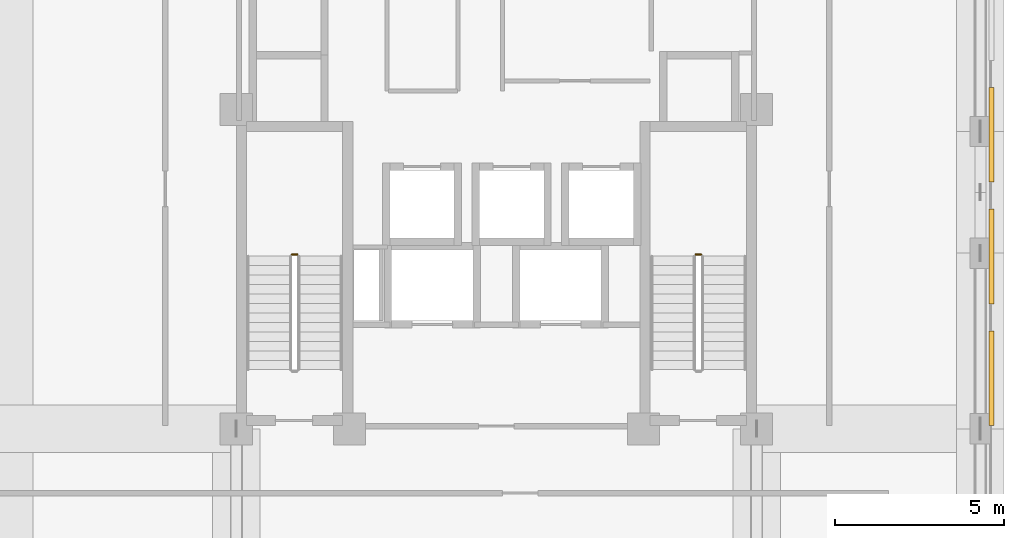
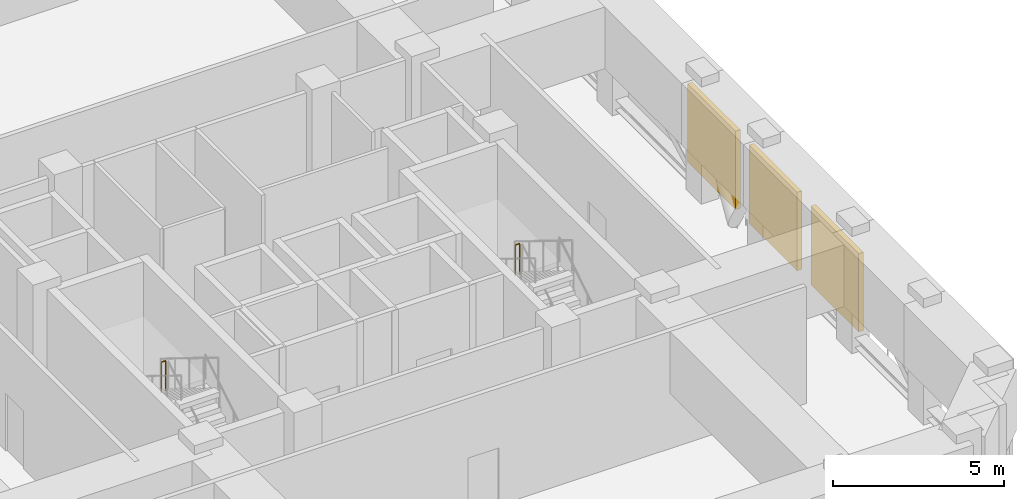
# One storey, part 11 of 12: 3 shading devices, 2 railings.
"""IFC4 building model written with IfcOpenShell, lengths in metres."""

from ifc_helpers import new_model, si_unit, derived_unit, direction, frame, origin, origin_2d, place, context, subcontext, project, spatial, rectangle, circle, extrude, material, type_object, element, save


model = new_model("IFC4")

# Units and contexts
model_context = context("Model", 3, precision=1e-05, world=origin(), true_north=direction((0.0, 1.0)))
body_context = subcontext(model_context, "Body", "Model", "MODEL_VIEW")
ifc_project = project(units=[si_unit("LENGTHUNIT", "METRE"), si_unit("AREAUNIT", "SQUARE_METRE"), si_unit("VOLUMEUNIT", "CUBIC_METRE"), si_unit("PLANEANGLEUNIT", "RADIAN"), si_unit("MASSUNIT", "GRAM", prefix="KILO"), derived_unit("THERMALTRANSMITTANCEUNIT", [(si_unit("MASSUNIT", "GRAM", prefix="KILO"), 1), (si_unit("TIMEUNIT", "SECOND"), -3), (si_unit("THERMODYNAMICTEMPERATUREUNIT", "KELVIN"), -1)])], contexts=[model_context])

# Site, building, storey
site_placement = place(None, origin())
site = spatial("IfcSite", under=ifc_project, at=site_placement, CompositionType="ELEMENT")
building_placement = place(site_placement, origin())
building = spatial("IfcBuilding", under=site, at=building_placement, Name="Korrvale Station Residences", CompositionType="ELEMENT")
storey_placement = place(building_placement, frame((0.0, 0.0, 169.89990234375)))
storey = spatial("IfcBuildingStorey", under=building, at=storey_placement, Name="L49", CompositionType="ELEMENT", Elevation=169.89990234375)

# Railings
ifc_material_1 = material(Name="Galvanised painted tubular steel stair guard", Category="steel")
railing_type = type_object("IfcRailingType", Name="RLG-STR-1100", PredefinedType="GUARDRAIL", material=ifc_material_1)
for number, where, name in (
    (1, (19.60009765625, 20.159912109375, 2.25), "L49 ST-1 stair guard 2"),
    (2, (31.550048828125, 20.159912109375, 2.25), "L49 ST-2 stair guard 2"),
):
    element("IfcRailing", number, at=place(storey_placement, frame(where)), inside=storey, type_object=railing_type, Name=name, PredefinedType="GUARDRAIL", context=body_context, shape_type="SweptSolid", body=[
        extrude(circle(Radius=0.02392578125, at=origin_2d()), frame((0.0, 0.0, 1.076171875), z_axis=(-1.0, 0.0, 0.0), x_axis=(0.0, -1.0, 0.0)), (0.0, 0.0, 1.0), 0.150146484375),
        extrude(circle(Radius=0.02099609375, at=origin_2d()), origin(), (0.0, 0.0, 1.0), 1.052001953125),
        extrude(circle(Radius=0.02099609375, at=origin_2d()), frame((-0.150146484375, 0.0, 0.0)), (0.0, 0.0, 1.0), 1.052001953125),
    ])

# Shading devices
ifc_material_2 = material(Name="Powder-coated aluminium acoustic louvre", Category="aluminium")
shading_device_type = type_object("IfcShadingDeviceType", Name="SHD-LVR-REF", PredefinedType="USERDEFINED", material=ifc_material_2)
for number, where, z_axis, x_axis, name in (
    (3, (40.14990234375, 16.5, 0.25), (0.0, 0.0, 1.0), (1.0, 0.0, 0.0), "L49 Open Refuge Band Acoustic Storm Louvre East 1"),
    (4, (40.14990234375, 20.10009765625, 0.25), (0.0, 0.0, 1.0), (1.0, 0.0, 0.0), "L49 Open Refuge Band Acoustic Storm Louvre East 2"),
    (5, (40.14990234375, 23.699951171875, 0.25), (0.0, 0.0, 1.0), (1.0, 0.0, 0.0), "L49 Open Refuge Band Acoustic Storm Louvre East 3"),
):
    element("IfcShadingDevice", number, at=place(storey_placement, frame(where, z_axis=z_axis, x_axis=x_axis)), inside=storey, type_object=shading_device_type, Name=name, ObjectType="LOUVRE", PredefinedType="USERDEFINED", context=body_context, shape_type="SweptSolid", body=[
        extrude(rectangle(XDim=0.159912109375, YDim=2.800048828125, at=origin_2d()), origin(), (0.0, 0.0, 1.0), 2.800048828125),
    ])

save(model, "model.ifc")
